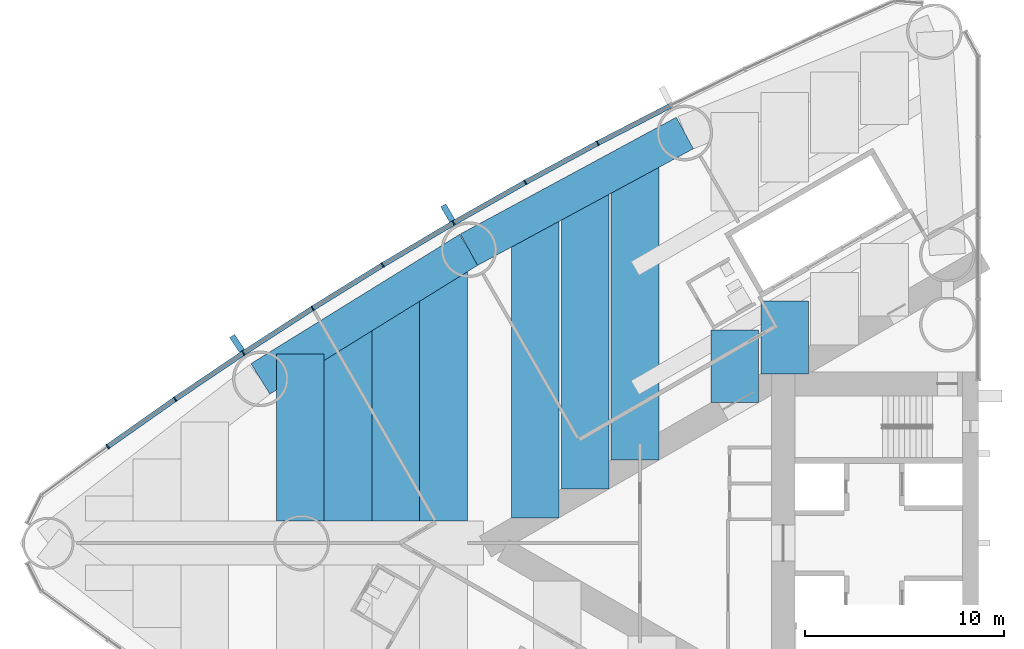
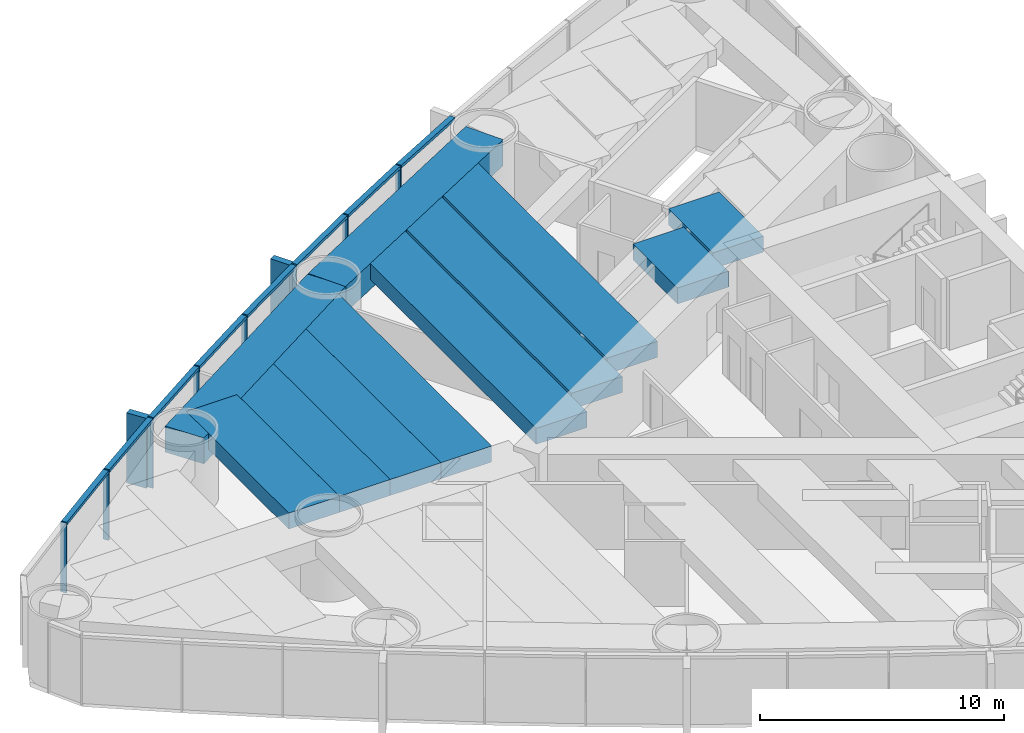
# One storey, part 4 of 19: 18 members, 11 beams, 1 element without a shape of its own.
"""IFC4 building model written with IfcOpenShell, lengths in metres."""

from ifc_helpers import new_model, si_unit, direction, frame, origin, origin_2d, place, context, subcontext, project, spatial, rectangle, extrude, material, material_profile, profile_set, type_object, element, aggregate, save


model = new_model("IFC4")

# Units and contexts
model_context = context("Model", 3, precision=1e-05, world=origin(), true_north=direction((0.0, 1.0)))
body_context = subcontext(model_context, "Body", "Model", "MODEL_VIEW")
ifc_project = project(units=[si_unit("LENGTHUNIT", "METRE"), si_unit("AREAUNIT", "SQUARE_METRE"), si_unit("VOLUMEUNIT", "CUBIC_METRE"), si_unit("PLANEANGLEUNIT", "RADIAN"), si_unit("MASSUNIT", "GRAM", prefix="KILO")], contexts=[model_context])

# Site, building, storey
site_placement = place(None, origin())
site = spatial("IfcSite", under=ifc_project, at=site_placement, CompositionType="ELEMENT")
building_placement = place(site_placement, origin())
building = spatial("IfcBuilding", under=site, at=building_placement, Name="Lancet Gate Hotel", CompositionType="ELEMENT")
storey_placement = place(building_placement, frame((0.0, 0.0, 70.5)))
storey = spatial("IfcBuildingStorey", under=building, at=storey_placement, Name="L18", CompositionType="ELEMENT", Elevation=70.5)

# Curtain wall, members
ifc_material_1 = material(Name="Aluminium curtain wall", Category="aluminium")
curtain_wall_type = type_object("IfcCurtainWallType", Name="Tower unitised curtain wall", PredefinedType="USERDEFINED", material=ifc_material_1)
curtain_wall_placement = place(storey_placement, origin())
curtain_wall = element("IfcCurtainWall", 1, at=curtain_wall_placement, inside=storey, type_object=curtain_wall_type, Name="T1 L18 curtain wall 2", ObjectType="UNITISED CURTAIN WALL", PredefinedType="USERDEFINED")
ifc_material_2 = material(Name="Aluminium mullion", Category="aluminium")
ifc_material_profile_1 = material_profile(ifc_material_2, rectangle(XDim=0.06494140625, YDim=0.25, at=origin_2d()), Name="MULLION 65x250")
ifc_profile_set_1 = profile_set([ifc_material_profile_1], Name="Aluminium mullion")
member_type_1 = type_object("IfcMemberType", Name="Aluminium mullion 65x250", PredefinedType="MULLION", material=ifc_profile_set_1)
member_1_placement = place(storey_placement, frame((-46.6220703125, 20.094970703125, 0.0), z_axis=(0.0, 0.0, 1.0), x_axis=(-0.884311132302, -0.466898084475, 0.0)))
member_1 = element("IfcMember", 2, at=member_1_placement, type_object=member_type_1, Name="T1 L18 curtain wall 2 mullion 6", PredefinedType="MULLION", context=body_context, shape_type="SweptSolid", body=[
    extrude(rectangle(XDim=0.06494140625, YDim=0.25, at=origin_2d()), origin(), (0.0, 0.0, 1.0), 3.5),
])
member_2_placement = place(storey_placement, frame((-50.26416015625, 18.1259765625, 0.0), z_axis=(0.0, 0.0, 1.0), x_axis=(-0.874991035403, -0.484139120464, 0.0)))
member_2 = element("IfcMember", 3, at=member_2_placement, type_object=member_type_1, Name="T1 L18 curtain wall 2 mullion 7", PredefinedType="MULLION", context=body_context, shape_type="SweptSolid", body=[
    extrude(rectangle(XDim=0.06494140625, YDim=0.25, at=origin_2d()), origin(), (0.0, 0.0, 1.0), 3.5),
])
member_3_placement = place(storey_placement, frame((-53.866943359375, 16.086181640625, 0.0), z_axis=(0.0, 0.0, 1.0), x_axis=(-0.86533483912, -0.501194190115, 0.0)))
member_3 = element("IfcMember", 4, at=member_3_placement, type_object=member_type_1, Name="T1 L18 curtain wall 2 mullion 8", PredefinedType="MULLION", context=body_context, shape_type="SweptSolid", body=[
    extrude(rectangle(XDim=0.06494140625, YDim=0.25, at=origin_2d()), origin(), (0.0, 0.0, 1.0), 3.5),
])
member_4_placement = place(storey_placement, frame((-57.42919921875, 13.97607421875, 0.0), z_axis=(0.0, 0.0, 1.0), x_axis=(-0.855346252548, -0.518056742309, 0.0)))
member_4 = element("IfcMember", 5, at=member_4_placement, type_object=member_type_1, Name="T1 L18 curtain wall 2 mullion 9", PredefinedType="MULLION", context=body_context, shape_type="SweptSolid", body=[
    extrude(rectangle(XDim=0.06494140625, YDim=0.25, at=origin_2d()), origin(), (0.0, 0.0, 1.0), 3.5),
])
member_5_placement = place(storey_placement, frame((-60.949462890625, 11.796630859375, 0.0), z_axis=(0.0, 0.0, 1.0), x_axis=(-0.845029112489, -0.534720299827, 0.0)))
member_5 = element("IfcMember", 6, at=member_5_placement, type_object=member_type_1, Name="T1 L18 curtain wall 2 mullion 10", PredefinedType="MULLION", context=body_context, shape_type="SweptSolid", body=[
    extrude(rectangle(XDim=0.06494140625, YDim=0.25, at=origin_2d()), origin(), (0.0, 0.0, 1.0), 3.5),
])
member_6_placement = place(storey_placement, frame((-64.42626953125, 9.548583984375, 0.0), z_axis=(0.0, 0.0, 1.0), x_axis=(-0.834387381945, -0.55117846189, 0.0)))
member_6 = element("IfcMember", 7, at=member_6_placement, type_object=member_type_1, Name="T1 L18 curtain wall 2 mullion 11", PredefinedType="MULLION", context=body_context, shape_type="SweptSolid", body=[
    extrude(rectangle(XDim=0.06494140625, YDim=0.25, at=origin_2d()), origin(), (0.0, 0.0, 1.0), 3.5),
])
member_7_placement = place(storey_placement, frame((-67.858154296875, 7.232666015625, 0.0), z_axis=(0.0, 0.0, 1.0), x_axis=(-0.823425148573, -0.56742490666, 0.0)))
member_7 = element("IfcMember", 8, at=member_7_placement, type_object=member_type_1, Name="T1 L18 curtain wall 2 mullion 12", PredefinedType="MULLION", context=body_context, shape_type="SweptSolid", body=[
    extrude(rectangle(XDim=0.06494140625, YDim=0.25, at=origin_2d()), origin(), (0.0, 0.0, 1.0), 3.5),
])
member_8_placement = place(storey_placement, frame((-71.244384765625, 4.85009765625, 0.0), z_axis=(0.0, 0.0, 1.0), x_axis=(-0.812146623168, -0.583453393578, 0.0)))
member_8 = element("IfcMember", 9, at=member_8_placement, type_object=member_type_1, Name="T1 L18 curtain wall 2 mullion 13", PredefinedType="MULLION", context=body_context, shape_type="SweptSolid", body=[
    extrude(rectangle(XDim=0.06494140625, YDim=0.25, at=origin_2d()), origin(), (0.0, 0.0, 1.0), 3.5),
])
ifc_material_3 = material(Name="Aluminium transom", Category="aluminium")
ifc_material_profile_2 = material_profile(ifc_material_3, rectangle(XDim=0.25, YDim=0.14990234375, at=origin_2d()), Name="TRANSOM 250x150")
ifc_profile_set_2 = profile_set([ifc_material_profile_2], Name="Aluminium transom")
member_type_2 = type_object("IfcMemberType", Name="Aluminium transom 250x150", PredefinedType="USERDEFINED", material=ifc_profile_set_2)
member_9_placement = place(storey_placement, frame((-42.970703125, 21.97705078125, 3.425048828125), z_axis=(-0.888859972399, -0.458178949175, 0.0), x_axis=(0.458178949175, -0.888859972399, 0.0)))
member_9 = element("IfcMember", 10, at=member_9_placement, type_object=member_type_2, Name="T1 L18 curtain wall 2 transom 5", ObjectType="TRANSOM", PredefinedType="USERDEFINED", context=body_context, shape_type="SweptSolid", body=[
    extrude(rectangle(XDim=0.25, YDim=0.14990234375, at=origin_2d()), origin(), (0.0, 0.0, 1.0), 4.0751953125),
])
member_10_placement = place(storey_placement, frame((-46.650634765625, 20.079345703125, 3.425048828125), z_axis=(-0.87971396408, -0.475503250675, 0.0), x_axis=(0.475503250675, -0.87971396408, 0.0)))
member_10 = element("IfcMember", 11, at=member_10_placement, type_object=member_type_2, Name="T1 L18 curtain wall 2 transom 6", ObjectType="TRANSOM", PredefinedType="USERDEFINED", context=body_context, shape_type="SweptSolid", body=[
    extrude(rectangle(XDim=0.25, YDim=0.14990234375, at=origin_2d()), origin(), (0.0, 0.0, 1.0), 4.0751953125),
])
member_11_placement = place(storey_placement, frame((-50.29248046875, 18.110107421875, 3.425048828125), z_axis=(-0.870197729943, -0.492702659625, 0.0), x_axis=(0.492702659625, -0.870197729943, 0.0)))
member_11 = element("IfcMember", 12, at=member_11_placement, type_object=member_type_2, Name="T1 L18 curtain wall 2 transom 7", ObjectType="TRANSOM", PredefinedType="USERDEFINED", context=body_context, shape_type="SweptSolid", body=[
    extrude(rectangle(XDim=0.25, YDim=0.14990234375, at=origin_2d()), origin(), (0.0, 0.0, 1.0), 4.0751953125),
])
member_12_placement = place(storey_placement, frame((-53.89501953125, 16.069580078125, 3.425048828125), z_axis=(-0.86039174806, -0.509633240547, 0.0), x_axis=(0.509633240547, -0.86039174806, 0.0)))
member_12 = element("IfcMember", 13, at=member_12_placement, type_object=member_type_2, Name="T1 L18 curtain wall 2 transom 8", ObjectType="TRANSOM", PredefinedType="USERDEFINED", context=body_context, shape_type="SweptSolid", body=[
    extrude(rectangle(XDim=0.25, YDim=0.14990234375, at=origin_2d()), origin(), (0.0, 0.0, 1.0), 4.0751953125),
])
member_13_placement = place(storey_placement, frame((-57.456787109375, 13.958984375, 3.425048828125), z_axis=(-0.850242165643, -0.526391736032, 0.0), x_axis=(0.526391736032, -0.850242165643, 0.0)))
member_13 = element("IfcMember", 14, at=member_13_placement, type_object=member_type_2, Name="T1 L18 curtain wall 2 transom 9", ObjectType="TRANSOM", PredefinedType="USERDEFINED", context=body_context, shape_type="SweptSolid", body=[
    extrude(rectangle(XDim=0.25, YDim=0.14990234375, at=origin_2d()), origin(), (0.0, 0.0, 1.0), 4.075439453125),
])
member_14_placement = place(storey_placement, frame((-60.976806640625, 11.779052734375, 3.425048828125), z_axis=(-0.839729242404, -0.543005340169, 0.0), x_axis=(0.543005340169, -0.839729242404, 0.0)))
member_14 = element("IfcMember", 15, at=member_14_placement, type_object=member_type_2, Name="T1 L18 curtain wall 2 transom 10", ObjectType="TRANSOM", PredefinedType="USERDEFINED", context=body_context, shape_type="SweptSolid", body=[
    extrude(rectangle(XDim=0.25, YDim=0.14990234375, at=origin_2d()), origin(), (0.0, 0.0, 1.0), 4.0751953125),
])
member_15_placement = place(storey_placement, frame((-64.453125, 9.5302734375, 3.425048828125), z_axis=(-0.828959086782, -0.559309245804, 0.0), x_axis=(0.559309245804, -0.828959086782, 0.0)))
member_15 = element("IfcMember", 16, at=member_15_placement, type_object=member_type_2, Name="T1 L18 curtain wall 2 transom 11", ObjectType="TRANSOM", PredefinedType="USERDEFINED", context=body_context, shape_type="SweptSolid", body=[
    extrude(rectangle(XDim=0.25, YDim=0.14990234375, at=origin_2d()), origin(), (0.0, 0.0, 1.0), 4.0751953125),
])
member_16_placement = place(storey_placement, frame((-67.884765625, 7.214111328125, 3.425048828125), z_axis=(-0.817833568345, -0.57545482402, 0.0), x_axis=(0.57545482402, -0.817833568345, 0.0)))
member_16 = element("IfcMember", 17, at=member_16_placement, type_object=member_type_2, Name="T1 L18 curtain wall 2 transom 12", ObjectType="TRANSOM", PredefinedType="USERDEFINED", context=body_context, shape_type="SweptSolid", body=[
    extrude(rectangle(XDim=0.25, YDim=0.14990234375, at=origin_2d()), origin(), (0.0, 0.0, 1.0), 4.075439453125),
])

# Beams
ifc_material_4 = material(Name="Concrete C50/60", Category="concrete")
ifc_material_profile_3 = material_profile(ifc_material_4, rectangle(XDim=1.800048828125, YDim=1.300048828125, at=origin_2d()), Name="RC 1800x1300")
ifc_profile_set_3 = profile_set([ifc_material_profile_3], Name="Concrete C50/60")
beam_type_1 = type_object("IfcBeamType", Name="Edge beam RC 1800x1300", PredefinedType="SPANDREL", material=ifc_profile_set_3)
for number, where, z_axis, x_axis, name in (
    (18, (-42.2451171875, 20.607421875, 2.60009765625), (-0.879692855603, -0.475542300749, 0.0), (0.475542300749, -0.879692855603, 0.0), "T1 edge beam EB1 L18"),
    (19, (-53.090087890625, 14.744873046875, 2.60009765625), (-0.850225894333, -0.526418016984, 0.0), (0.526418016984, -0.850225894333, 0.0), "T1 edge beam EB1 L18"),
):
    element("IfcBeam", number, at=place(storey_placement, frame(where, z_axis=z_axis, x_axis=x_axis)), inside=storey, type_object=beam_type_1, Name=name, PredefinedType="SPANDREL", context=body_context, shape_type="SweptSolid", body=[
        extrude(rectangle(XDim=1.800048828125, YDim=1.300048828125, at=origin_2d()), origin(), (0.0, 0.0, 1.0), 12.328125),
    ])

# Member
ifc_material_5 = material(Name="Precast concrete C50/60", Category="concrete")
ifc_material_profile_4 = material_profile(ifc_material_5, rectangle(XDim=0.300048828125, YDim=0.89990234375, at=origin_2d()), Name="FIN 300x900")
ifc_profile_set_4 = profile_set([ifc_material_profile_4], Name="Precast concrete C50/60")
member_type_3 = type_object("IfcMemberType", Name="Exposed concrete fin 300x900", PredefinedType="USERDEFINED", material=ifc_profile_set_4)
member_17_placement = place(storey_placement, frame((-54.1552734375, 16.583740234375, 0.0), z_axis=(0.0, 0.0, 1.0), x_axis=(-0.86533483912, -0.501194190115, 0.0)))
member_17 = element("IfcMember", 20, at=member_17_placement, type_object=member_type_3, Name="T1 L18 curtain wall 2 fin 8", ObjectType="FIN", PredefinedType="USERDEFINED", context=body_context, shape_type="SweptSolid", body=[
    extrude(rectangle(XDim=0.300048828125, YDim=0.89990234375, at=origin_2d()), origin(), (0.0, 0.0, 1.0), 3.5),
])

member_18_placement = place(storey_placement, frame((-64.7431640625, 10.0283203125, 0.0), z_axis=(0.0, 0.0, 1.0), x_axis=(-0.834387381945, -0.55117846189, 0.0)))
member_18 = element("IfcMember", 21, at=member_18_placement, type_object=member_type_3, Name="T1 L18 curtain wall 2 fin 11", ObjectType="FIN", PredefinedType="USERDEFINED", context=body_context, shape_type="SweptSolid", body=[
    extrude(rectangle(XDim=0.300048828125, YDim=0.89990234375, at=origin_2d()), origin(), (0.0, 0.0, 1.0), 3.5),
])

aggregate(curtain_wall, [member_1, member_2, member_3, member_17, member_4, member_5, member_6, member_18, member_7, member_8, member_9, member_10, member_11, member_12, member_13, member_14, member_15, member_16])

# Beams
ifc_material_6 = material(Name="Concrete C50/60", Category="concrete")
ifc_material_profile_5 = material_profile(ifc_material_6, rectangle(XDim=2.39990234375, YDim=0.800048828125, at=origin_2d()), Name="RC 2400x800")
ifc_profile_set_5 = profile_set([ifc_material_profile_5], Name="Concrete C50/60")
beam_type_2 = type_object("IfcBeamType", Name="Floor beam RC 2400x800", PredefinedType="BEAM", material=ifc_profile_set_5)
beam_1_placement = place(storey_placement, frame((-44.747802734375, 19.254638671875, 2.85009765625), z_axis=(0.0, -1.0, 0.0), x_axis=(1.0, 0.0, 0.0)))
element("IfcBeam", 22, at=beam_1_placement, inside=storey, type_object=beam_type_2, Name="T1 floor beam F09S L18", PredefinedType="BEAM", context=body_context, shape_type="SweptSolid", body=[
    extrude(rectangle(XDim=2.39990234375, YDim=0.800048828125, at=origin_2d()), origin(), (0.0, 0.0, 1.0), 15.0859375),
])
beam_2_placement = place(storey_placement, frame((-47.254638671875, 17.8994140625, 2.85009765625), z_axis=(0.0, -1.0, 0.0), x_axis=(1.0, 0.0, 0.0)))
element("IfcBeam", 23, at=beam_2_placement, inside=storey, type_object=beam_type_2, Name="T1 floor beam F10S L18", PredefinedType="BEAM", context=body_context, shape_type="SweptSolid", body=[
    extrude(rectangle(XDim=2.39990234375, YDim=0.800048828125, at=origin_2d()), origin(), (0.0, 0.0, 1.0), 15.177978515625),
])
beam_3_placement = place(storey_placement, frame((-49.761474609375, 16.54443359375, 2.85009765625), z_axis=(0.0, -1.0, 0.0), x_axis=(1.0, 0.0, 0.0)))
element("IfcBeam", 24, at=beam_3_placement, inside=storey, type_object=beam_type_2, Name="T1 floor beam F12S L18", PredefinedType="BEAM", context=body_context, shape_type="SweptSolid", body=[
    extrude(rectangle(XDim=2.39990234375, YDim=0.800048828125, at=origin_2d()), origin(), (0.0, 0.0, 1.0), 15.270263671875),
])
beam_4_placement = place(storey_placement, frame((-54.3681640625, 13.95361328125, 2.85009765625), z_axis=(0.0, -1.0, 0.0), x_axis=(1.0, 0.0, 0.0)))
element("IfcBeam", 25, at=beam_4_placement, inside=storey, type_object=beam_type_2, Name="T1 floor beam F13S L18", PredefinedType="BEAM", context=body_context, shape_type="SweptSolid", body=[
    extrude(rectangle(XDim=2.39990234375, YDim=0.800048828125, at=origin_2d()), origin(), (0.0, 0.0, 1.0), 12.853515625),
])
beam_5_placement = place(storey_placement, frame((-56.768310546875, 12.467529296875, 2.85009765625), z_axis=(0.0, -1.0, 0.0), x_axis=(1.0, 0.0, 0.0)))
element("IfcBeam", 26, at=beam_5_placement, inside=storey, type_object=beam_type_2, Name="T1 floor beam F15S L18", PredefinedType="BEAM", context=body_context, shape_type="SweptSolid", body=[
    extrude(rectangle(XDim=2.39990234375, YDim=0.800048828125, at=origin_2d()), origin(), (0.0, 0.0, 1.0), 11.367431640625),
])
beam_6_placement = place(storey_placement, frame((-59.168212890625, 10.981689453125, 2.85009765625), z_axis=(0.0, -1.0, 0.0), x_axis=(1.0, 0.0, 0.0)))
element("IfcBeam", 27, at=beam_6_placement, inside=storey, type_object=beam_type_2, Name="T1 floor beam F17S L18", PredefinedType="BEAM", context=body_context, shape_type="SweptSolid", body=[
    extrude(rectangle(XDim=2.39990234375, YDim=0.800048828125, at=origin_2d()), origin(), (0.0, 0.0, 1.0), 9.881591796875),
])
beam_7_placement = place(storey_placement, frame((-61.568359375, 9.495849609375, 2.85009765625), z_axis=(0.0, -1.0, 0.0), x_axis=(1.0, 0.0, 0.0)))
element("IfcBeam", 28, at=beam_7_placement, inside=storey, type_object=beam_type_2, Name="T1 floor beam F19S L18", PredefinedType="BEAM", context=body_context, shape_type="SweptSolid", body=[
    extrude(rectangle(XDim=2.39990234375, YDim=0.800048828125, at=origin_2d()), origin(), (0.0, 0.0, 1.0), 8.395751953125),
])
beam_8_placement = place(storey_placement, frame((-37.227294921875, 12.15625, 2.85009765625), z_axis=(0.0, -1.0, 0.0), x_axis=(1.0, 0.0, 0.0)))
element("IfcBeam", 29, at=beam_8_placement, inside=storey, type_object=beam_type_2, Name="T1 floor beam F05SB L18", PredefinedType="BEAM", context=body_context, shape_type="SweptSolid", body=[
    extrude(rectangle(XDim=2.39990234375, YDim=0.800048828125, at=origin_2d()), origin(), (0.0, 0.0, 1.0), 3.6455078125),
])
beam_9_placement = place(storey_placement, frame((-39.734130859375, 10.708740234375, 2.85009765625), z_axis=(0.0, -1.0, 0.0), x_axis=(1.0, 0.0, 0.0)))
element("IfcBeam", 30, at=beam_9_placement, inside=storey, type_object=beam_type_2, Name="T1 floor beam F07SB L18", PredefinedType="BEAM", context=body_context, shape_type="SweptSolid", body=[
    extrude(rectangle(XDim=2.39990234375, YDim=0.800048828125, at=origin_2d()), origin(), (0.0, 0.0, 1.0), 3.645263671875),
])

save(model, "model.ifc")
